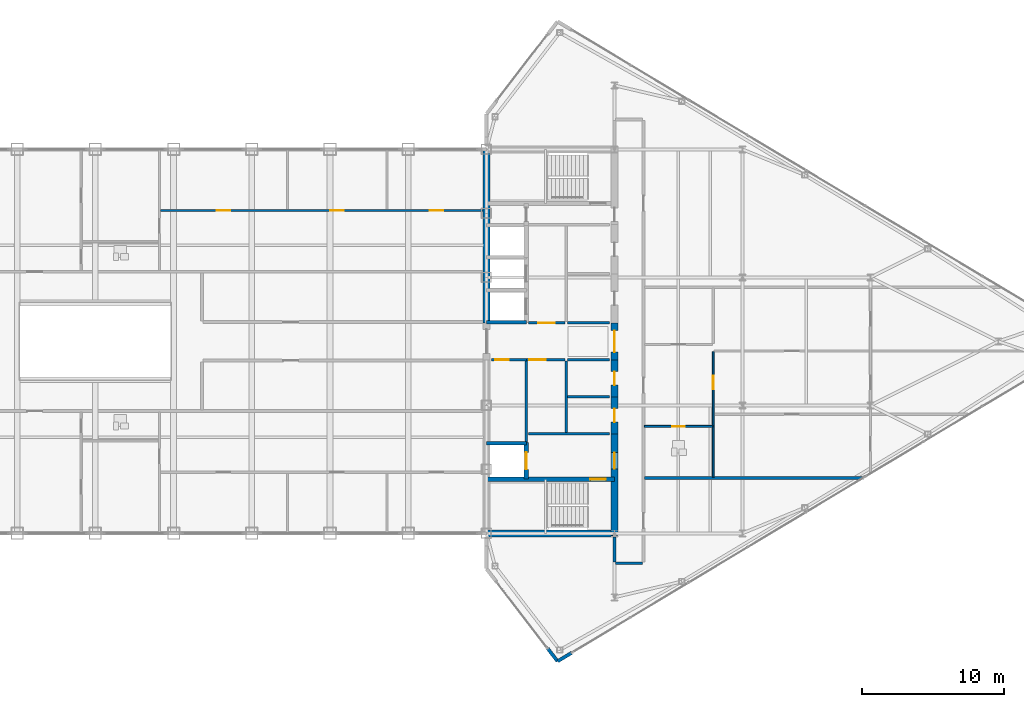
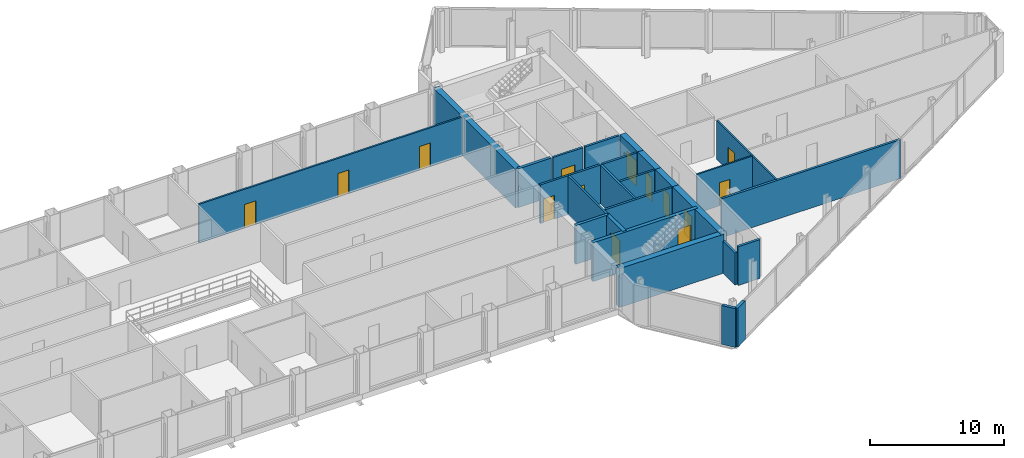
# One storey, part 24 of 29: 27 walls, 14 doors, 14 openings.
"""IFC4 building model written with IfcOpenShell, lengths in metres."""

from ifc_helpers import new_model, si_unit, direction, frame, frame_2d, origin, place, context, subcontext, project, spatial, rectangle, extrude, source, transform, mapped, material, layer, layer_set, type_object, type_shapes, element, fill, save


model = new_model("IFC4")

# Units and contexts
model_context = context("Model", 3, precision=1e-05, world=origin(), true_north=direction((0.0, 1.0)))
body_context = subcontext(model_context, "Body", "Model", "MODEL_VIEW")
ifc_project = project(units=[si_unit("LENGTHUNIT", "METRE"), si_unit("AREAUNIT", "SQUARE_METRE"), si_unit("VOLUMEUNIT", "CUBIC_METRE"), si_unit("PLANEANGLEUNIT", "RADIAN"), si_unit("MASSUNIT", "GRAM", prefix="KILO")], contexts=[model_context])

# Site, building, storey
site_placement = place(None, origin())
site = spatial("IfcSite", under=ifc_project, at=site_placement, CompositionType="ELEMENT")
building_placement = place(site_placement, origin())
building = spatial("IfcBuilding", under=site, at=building_placement, Name="Seokmaru Belvedere", CompositionType="ELEMENT")
storey_placement = place(building_placement, frame((0.0, 0.0, 258.14990234375)))
storey = spatial("IfcBuildingStorey", under=building, at=storey_placement, Name="L68", CompositionType="ELEMENT", Elevation=258.14990234375)

# Wall, openings, doors
ifc_material_1 = material(Name="Fire-Rated Gypsum Shaftwall")
ifc_layer_1 = layer(ifc_material_1, 0.14990234375)
ifc_layer_set_1 = layer_set([ifc_layer_1], Name="Fire-Rated Gypsum Shaftwall")
wall_type_1 = type_object("IfcWallType", Name="Apartment Fire-Acoustic Room Partition 150", PredefinedType="PARTITIONING", material=ifc_layer_set_1)
wall_1_placement = place(storey_placement, frame((4.5849609375, 9.199951171875, 0.0), z_axis=(0.0, 0.0, 1.0), x_axis=(1.0, 0.0, 0.0)))
wall_1 = element("IfcWall", 1, at=wall_1_placement, inside=storey, type_object=wall_type_1, Name="L68 Interior Partition 023", PredefinedType="PARTITIONING", context=body_context, shape_type="SweptSolid", body=[
    extrude(rectangle(XDim=22.66015625, YDim=0.14990234375, at=frame_2d((11.330078125, 0.0))), origin(), (0.0, 0.0, 1.0), 3.530029296875),
])
opening_1_placement = place(wall_1_placement, frame((3.93994140625, 0.0, 0.0)))
opening_1 = element("IfcOpeningElement", 2, at=opening_1_placement, cuts=wall_1, Name="Opening D05", PredefinedType="OPENING", context=body_context, shape_type="SweptSolid", body=[
    extrude(rectangle(XDim=0.949951171875, YDim=2.14990234375, at=frame_2d((0.47509765625, 1.074951171875))), frame((0.0, 0.0849609375, 0.0), z_axis=(0.0, -1.0, 0.0), x_axis=(1.0, 0.0, 0.0)), (0.0, 0.0, 1.0), 0.169921875),
])
opening_2_placement = place(wall_1_placement, frame((11.93994140625, 0.0, 0.0)))
opening_2 = element("IfcOpeningElement", 3, at=opening_2_placement, cuts=wall_1, Name="Opening D05", PredefinedType="OPENING", context=body_context, shape_type="SweptSolid", body=[
    extrude(rectangle(XDim=0.949951171875, YDim=2.14990234375, at=frame_2d((0.47509765625, 1.074951171875))), frame((0.0, 0.0849609375, 0.0), z_axis=(0.0, -1.0, 0.0), x_axis=(1.0, 0.0, 0.0)), (0.0, 0.0, 1.0), 0.169921875),
])
opening_3_placement = place(wall_1_placement, frame((18.93994140625, 0.0, 0.0)))
opening_3 = element("IfcOpeningElement", 4, at=opening_3_placement, cuts=wall_1, Name="Opening D05", PredefinedType="OPENING", context=body_context, shape_type="SweptSolid", body=[
    extrude(rectangle(XDim=0.949951171875, YDim=2.14990234375, at=frame_2d((0.47509765625, 1.074951171875))), frame((0.0, 0.0849609375, 0.0), z_axis=(0.0, -1.0, 0.0), x_axis=(1.0, 0.0, 0.0)), (0.0, 0.0, 1.0), 0.169921875),
])
ifc_material_2 = material(Name="Engineered White Oak Timber", Category="wood")
door_type_1 = type_object("IfcDoorType", Name="Apartment Interior Fire-Rated Oak Door 950x2150", OperationType="NOTDEFINED", PredefinedType="DOOR", material=ifc_material_2)
shared_shape_1 = source(origin(), body_context, "Body", "SweptSolid", [
    extrude(rectangle(XDim=0.949951171875, YDim=2.14990234375, at=frame_2d((0.47509765625, 1.074951171875))), frame((0.0, 0.02490234375, 0.0), z_axis=(0.0, -1.0, 0.0), x_axis=(1.0, 0.0, 0.0)), (0.0, 0.0, 1.0), 0.050048828125),
])
type_shapes(door_type_1, [shared_shape_1])
door_1_placement = place(opening_1_placement, origin())
door_1 = element("IfcDoor", 5, at=door_1_placement, inside=storey, type_object=door_type_1, Name="L68 Interior Door 037", OperationType="SINGLE_SWING_LEFT", OverallHeight=2.14990234375, OverallWidth=0.949951171875, PredefinedType="DOOR", context=body_context, shape_type="MappedRepresentation", body=[
    mapped(shared_shape_1, transform((0.0, 0.0, 0.0), scale=1.0)),
])
fill(opening_1, door_1)
door_2_placement = place(opening_2_placement, origin())
door_2 = element("IfcDoor", 6, at=door_2_placement, inside=storey, type_object=door_type_1, Name="L68 Interior Door 038", OperationType="SINGLE_SWING_RIGHT", OverallHeight=2.14990234375, OverallWidth=0.949951171875, PredefinedType="DOOR", context=body_context, shape_type="MappedRepresentation", body=[
    mapped(shared_shape_1, transform((0.0, 0.0, 0.0), scale=1.0)),
])
fill(opening_2, door_2)
door_3_placement = place(opening_3_placement, origin())
door_3 = element("IfcDoor", 7, at=door_3_placement, inside=storey, type_object=door_type_1, Name="L68 Interior Door 039", OperationType="SINGLE_SWING_LEFT", OverallHeight=2.14990234375, OverallWidth=0.949951171875, PredefinedType="DOOR", context=body_context, shape_type="MappedRepresentation", body=[
    mapped(shared_shape_1, transform((0.0, 0.0, 0.0), scale=1.0)),
])
fill(opening_3, door_3)

# Walls
ifc_layer_2 = layer(ifc_material_1, 0.179931640625)
ifc_layer_set_2 = layer_set([ifc_layer_2], Name="Fire-Rated Gypsum Shaftwall")
wall_type_2 = type_object("IfcWallType", Name="Core Service Fire Partition 180", PredefinedType="PARTITIONING", material=ifc_layer_set_2)
wall_2_placement = place(storey_placement, frame((30.449951171875, -6.5, 0.0), z_axis=(0.0, 0.0, 1.0), x_axis=(1.0, 0.0, 0.0)))
element("IfcWall", 8, at=wall_2_placement, inside=storey, type_object=wall_type_2, Name="L68 East Firefighting Lobby Partition", PredefinedType="PARTITIONING", context=body_context, shape_type="SweptSolid", body=[
    extrude(rectangle(XDim=5.699951171875, YDim=0.179931640625, at=frame_2d((2.85009765625, 0.0))), origin(), (0.0, 0.0, 1.0), 3.530029296875),
])
wall_3_placement = place(storey_placement, frame((33.10009765625, -6.419921875, 0.0), z_axis=(0.0, 0.0, 1.0), x_axis=(0.0, 1.0, 0.0)))
element("IfcWall", 9, at=wall_3_placement, inside=storey, type_object=wall_type_2, Name="L68 East South Core Service Back Wall", PredefinedType="PARTITIONING", context=body_context, shape_type="SweptSolid", body=[
    extrude(rectangle(XDim=5.0400390625, YDim=0.179931640625, at=frame_2d((2.52001953125, 0.0))), origin(), (0.0, 0.0, 1.0), 3.530029296875),
])

# Wall, opening, door
wall_4_placement = place(storey_placement, frame((27.85009765625, -1.300048828125, 0.0), z_axis=(0.0, 0.0, 1.0), x_axis=(1.0, 0.0, 0.0)))
wall_4 = element("IfcWall", 10, at=wall_4_placement, inside=storey, type_object=wall_type_2, Name="L68 East South Parcel Vault Foyer Wall", PredefinedType="PARTITIONING", context=body_context, shape_type="SweptSolid", body=[
    extrude(rectangle(XDim=2.449951171875, YDim=0.179931640625, at=frame_2d((1.22509765625, 0.0))), origin(), (0.0, 0.0, 1.0), 3.530029296875),
])
opening_4_placement = place(wall_4_placement, frame((0.27490234375, 0.0, 0.0)))
opening_4 = element("IfcOpeningElement", 11, at=opening_4_placement, cuts=wall_4, Name="Opening D04", PredefinedType="OPENING", context=body_context, shape_type="SweptSolid", body=[
    extrude(rectangle(XDim=0.949951171875, YDim=2.14990234375, at=frame_2d((0.47509765625, 1.074951171875))), frame((0.0, 0.10009765625, 0.0), z_axis=(0.0, -1.0, 0.0), x_axis=(1.0, 0.0, 0.0)), (0.0, 0.0, 1.0), 0.199951171875),
])
ifc_material_3 = material(Name="Fire-Rated Steel Leaf", Category="steel")
door_type_2 = type_object("IfcDoorType", Name="Core Service Room Fire Door 950x2150", OperationType="NOTDEFINED", PredefinedType="DOOR", material=ifc_material_3)
shared_shape_2 = source(origin(), body_context, "Body", "SweptSolid", [
    extrude(rectangle(XDim=0.949951171875, YDim=2.14990234375, at=frame_2d((0.47509765625, 1.074951171875))), frame((0.0, 0.02490234375, 0.0), z_axis=(0.0, -1.0, 0.0), x_axis=(1.0, 0.0, 0.0)), (0.0, 0.0, 1.0), 0.050048828125),
])
type_shapes(door_type_2, [shared_shape_2])
door_4_placement = place(opening_4_placement, origin())
door_4 = element("IfcDoor", 12, at=door_4_placement, inside=storey, type_object=door_type_2, Name="L68 East South Parcel Vault Door", OperationType="SINGLE_SWING_RIGHT", OverallHeight=2.14990234375, OverallWidth=0.949951171875, PredefinedType="DOOR", context=body_context, shape_type="MappedRepresentation", body=[
    mapped(shared_shape_2, transform((0.0, 0.0, 0.0), scale=1.0)),
])
fill(opening_4, door_4)

wall_5_placement = place(storey_placement, frame((30.300048828125, -1.300048828125, 0.0), z_axis=(0.0, 0.0, 1.0), x_axis=(1.0, 0.0, 0.0)))
wall_5 = element("IfcWall", 13, at=wall_5_placement, inside=storey, type_object=wall_type_2, Name="L68 East South Wine Cellar Foyer Wall", PredefinedType="PARTITIONING", context=body_context, shape_type="SweptSolid", body=[
    extrude(rectangle(XDim=2.719970703125, YDim=0.179931640625, at=frame_2d((1.35986328125, 0.0))), origin(), (0.0, 0.0, 1.0), 3.530029296875),
])
opening_5_placement = place(wall_5_placement, frame((0.2099609375, 0.0, 0.0)))
opening_5 = element("IfcOpeningElement", 14, at=opening_5_placement, cuts=wall_5, Name="Opening D02", PredefinedType="OPENING", context=body_context, shape_type="SweptSolid", body=[
    extrude(rectangle(XDim=1.14990234375, YDim=2.199951171875, at=frame_2d((0.574951171875, 1.10009765625))), frame((0.0, 0.10009765625, 0.0), z_axis=(0.0, -1.0, 0.0), x_axis=(1.0, 0.0, 0.0)), (0.0, 0.0, 1.0), 0.199951171875),
])
door_type_3 = type_object("IfcDoorType", Name="Lobby and Vestibule Fire Door 1150x2200", OperationType="NOTDEFINED", PredefinedType="DOOR", material=ifc_material_3)
shared_shape_3 = source(origin(), body_context, "Body", "SweptSolid", [
    extrude(rectangle(XDim=1.14990234375, YDim=2.199951171875, at=frame_2d((0.574951171875, 1.10009765625))), frame((0.0, 0.02490234375, 0.0), z_axis=(0.0, -1.0, 0.0), x_axis=(1.0, 0.0, 0.0)), (0.0, 0.0, 1.0), 0.050048828125),
])
type_shapes(door_type_3, [shared_shape_3])
door_5_placement = place(opening_5_placement, origin())
door_5 = element("IfcDoor", 15, at=door_5_placement, inside=storey, type_object=door_type_3, Name="L68 East South Core Foyer Door", OperationType="SINGLE_SWING_RIGHT", OverallHeight=2.199951171875, OverallWidth=1.14990234375, PredefinedType="DOOR", context=body_context, shape_type="MappedRepresentation", body=[
    mapped(shared_shape_3, transform((0.0, 0.0, 0.0), scale=1.0)),
])
fill(opening_5, door_5)

# Wall
wall_6_placement = place(storey_placement, frame((30.300048828125, -7.1201171875, 0.0), z_axis=(0.0, 0.0, 1.0), x_axis=(0.0, 1.0, 0.0)))
element("IfcWall", 16, at=wall_6_placement, inside=storey, type_object=wall_type_2, Name="L68 East Freed Shaft Vault Partition", PredefinedType="PARTITIONING", context=body_context, shape_type="SweptSolid", body=[
    extrude(rectangle(XDim=5.740234375, YDim=0.179931640625, at=frame_2d((2.8701171875, 0.0))), origin(), (0.0, 0.0, 1.0), 3.530029296875),
])

# Wall, opening, door
wall_7_placement = place(storey_placement, frame((30.449951171875, 1.300048828125, 0.0), z_axis=(0.0, 0.0, 1.0), x_axis=(1.0, 0.0, 0.0)))
wall_7 = element("IfcWall", 17, at=wall_7_placement, inside=storey, type_object=wall_type_2, Name="L68 East North Lift Lobby Foyer Wall", PredefinedType="PARTITIONING", context=body_context, shape_type="SweptSolid", body=[
    extrude(rectangle(XDim=2.570068359375, YDim=0.179931640625, at=frame_2d((1.28515625, 0.0))), origin(), (0.0, 0.0, 1.0), 3.530029296875),
])
opening_6_placement = place(wall_7_placement, frame((0.7099609375, 0.0, 0.0)))
opening_6 = element("IfcOpeningElement", 18, at=opening_6_placement, cuts=wall_7, Name="Opening D02", PredefinedType="OPENING", context=body_context, shape_type="SweptSolid", body=[
    extrude(rectangle(XDim=1.14990234375, YDim=2.199951171875, at=frame_2d((0.574951171875, 1.10009765625))), frame((0.0, 0.10009765625, 0.0), z_axis=(0.0, -1.0, 0.0), x_axis=(1.0, 0.0, 0.0)), (0.0, 0.0, 1.0), 0.199951171875),
])
door_6_placement = place(opening_6_placement, origin())
door_6 = element("IfcDoor", 19, at=door_6_placement, inside=storey, type_object=door_type_3, Name="L68 East North Lift Lobby Door", OperationType="SINGLE_SWING_LEFT", OverallHeight=2.199951171875, OverallWidth=1.14990234375, PredefinedType="DOOR", context=body_context, shape_type="MappedRepresentation", body=[
    mapped(shared_shape_3, transform((0.0, 0.0, 0.0), scale=1.0)),
])
fill(opening_6, door_6)

# Walls
for number, where, z_axis, x_axis, name in (
    (20, (33.199951171875, -1.300048828125, 0.0), (0.0, 0.0, 1.0), (1.0, 0.0, 0.0), "L68 East Foyer Side Wall S"),
    (21, (33.199951171875, 1.300048828125, 0.0), (0.0, 0.0, 1.0), (1.0, 0.0, 0.0), "L68 East Foyer Side Wall N"),
    (22, (33.199951171875, -3.89990234375, 0.0), (0.0, 0.0, 1.0), (1.0, 0.0, 0.0), "L68 East Core Service Partition 1"),
):
    element("IfcWall", number, at=place(storey_placement, frame(where, z_axis=z_axis, x_axis=x_axis)), inside=storey, type_object=wall_type_2, Name=name, PredefinedType="PARTITIONING", context=body_context, shape_type="SweptSolid", body=[
        extrude(rectangle(XDim=2.949951171875, YDim=0.179931640625, at=frame_2d((1.47509765625, 0.0))), origin(), (0.0, 0.0, 1.0), 3.530029296875),
    ])
ifc_material_4 = material(Name="Concrete C50 (50 MPa)", Category="concrete")
ifc_layer_3 = layer(ifc_material_4, 0.25)
ifc_layer_set_3 = layer_set([ifc_layer_3], Name="Concrete C50 (50 MPa)")
wall_type_3 = type_object("IfcWallType", Name="Hoistway Transverse Concrete Divider Wall 250", PredefinedType="SHEAR", material=ifc_layer_set_3)
for number, where, z_axis, x_axis, name in (
    (23, (27.5, -7.14990234375, 0.0), (0.0, 0.0, 1.0), (1.0, 0.0, 0.0), "L68 East Hoistway Divider Core Wall 1"),
    (24, (27.5, 1.35009765625, 0.0), (0.0, 0.0, 1.0), (1.0, 0.0, 0.0), "L68 East Hoistway Divider Core Wall 2"),
):
    element("IfcWall", number, at=place(storey_placement, frame(where, z_axis=z_axis, x_axis=x_axis)), inside=storey, type_object=wall_type_3, Name=name, PredefinedType="SHEAR", context=body_context, shape_type="SweptSolid", body=[
        extrude(rectangle(XDim=2.800048828125, YDim=0.25, at=frame_2d((1.39990234375, 0.0))), origin(), (0.0, 0.0, 1.0), 3.530029296875),
    ])
ifc_layer_4 = layer(ifc_material_1, 0.199951171875)
ifc_layer_set_4 = layer_set([ifc_layer_4], Name="Fire-Rated Gypsum Shaftwall")
wall_type_4 = type_object("IfcWallType", Name="Inter-Tenancy Fire Compartment Partition 200", PredefinedType="PARTITIONING", material=ifc_layer_set_4)
wall_8_placement = place(storey_placement, frame((36.5849609375, -15.60009765625, 0.0), z_axis=(0.0, 0.0, 1.0), x_axis=(1.0, 0.0, 0.0)))
element("IfcWall", 25, at=wall_8_placement, inside=storey, type_object=wall_type_4, Name="L68 Interior Partition 002", PredefinedType="PARTITIONING", context=body_context, shape_type="SweptSolid", body=[
    extrude(rectangle(XDim=1.880126953125, YDim=0.199951171875, at=frame_2d((0.93994140625, 0.0))), origin(), (0.0, 0.0, 1.0), 3.530029296875),
])
wall_9_placement = place(storey_placement, frame((38.6298828125, -9.60009765625, 0.0), z_axis=(0.0, 0.0, 1.0), x_axis=(1.0, 0.0, 0.0)))
element("IfcWall", 26, at=wall_9_placement, inside=storey, type_object=wall_type_4, Name="L68 Interior Partition 003", PredefinedType="PARTITIONING", context=body_context, shape_type="SweptSolid", body=[
    extrude(rectangle(XDim=15.380126953125, YDim=0.199951171875, at=frame_2d((7.68994140625, 0.0))), origin(), (0.0, 0.0, 1.0), 3.530029296875),
])
wall_10_placement = place(storey_placement, frame((36.5, -15.514892578125, 0.0), z_axis=(0.0, 0.0, 1.0), x_axis=(0.0, 1.0, 0.0)))
element("IfcWall", 27, at=wall_10_placement, inside=storey, type_object=wall_type_4, Name="L68 Interior Partition 047", PredefinedType="PARTITIONING", context=body_context, shape_type="SweptSolid", body=[
    extrude(rectangle(XDim=1.760009765625, YDim=0.199951171875, at=frame_2d((0.8798828125, 0.0))), origin(), (0.0, 0.0, 1.0), 2.93017578125),
])

# Wall, opening, door
ifc_layer_5 = layer(ifc_material_4, 0.300048828125)
ifc_layer_set_5 = layer_set([ifc_layer_5], Name="Concrete C50 (50 MPa)")
wall_type_5 = type_object("IfcWallType", Name="Internal Core Stair and Hoistway Wall 300", PredefinedType="SHEAR", material=ifc_layer_set_5)
wall_11_placement = place(storey_placement, frame((27.5, -9.699951171875, 0.0), z_axis=(0.0, 0.0, 1.0), x_axis=(1.0, 0.0, 0.0)))
wall_11 = element("IfcWall", 28, at=wall_11_placement, inside=storey, type_object=wall_type_5, Name="L68 East Stair ST-1 Enclosure Wall", PredefinedType="SHEAR", context=body_context, shape_type="SweptSolid", body=[
    extrude(rectangle(XDim=9.0, YDim=0.300048828125, at=frame_2d((4.5, 0.0))), origin(), (0.0, 0.0, 1.0), 3.530029296875),
])
opening_7_placement = place(wall_11_placement, frame((7.300048828125, 0.0, 0.0)))
opening_7 = element("IfcOpeningElement", 29, at=opening_7_placement, cuts=wall_11, Name="Opening D01", PredefinedType="OPENING", context=body_context, shape_type="SweptSolid", body=[
    extrude(rectangle(XDim=1.10009765625, YDim=2.199951171875, at=frame_2d((0.550048828125, 1.10009765625))), frame((0.0, 0.16015625, 0.0), z_axis=(0.0, -1.0, 0.0), x_axis=(1.0, 0.0, 0.0)), (0.0, 0.0, 1.0), 0.320068359375),
])
door_type_4 = type_object("IfcDoorType", Name="Special Escape Stair Smokeproof Fire Door 1100x2200", OperationType="NOTDEFINED", PredefinedType="DOOR", material=ifc_material_3)
shared_shape_4 = source(origin(), body_context, "Body", "SweptSolid", [
    extrude(rectangle(XDim=1.10009765625, YDim=2.199951171875, at=frame_2d((0.550048828125, 1.10009765625))), frame((0.0, 0.02490234375, 0.0), z_axis=(0.0, -1.0, 0.0), x_axis=(1.0, 0.0, 0.0)), (0.0, 0.0, 1.0), 0.050048828125),
])
type_shapes(door_type_4, [shared_shape_4])
door_7_placement = place(opening_7_placement, frame((1.10009765625, 0.0, 0.0), z_axis=(0.0, 0.0, 1.0), x_axis=(-1.0, 0.0, 0.0)))
door_7 = element("IfcDoor", 30, at=door_7_placement, inside=storey, type_object=door_type_4, Name="L68 East Special Escape Stair ST-1 Door", OperationType="SINGLE_SWING_RIGHT", OverallHeight=2.199951171875, OverallWidth=1.10009765625, PredefinedType="DOOR", context=body_context, shape_type="MappedRepresentation", body=[
    mapped(shared_shape_4, transform((0.0, 0.0, 0.0), scale=1.0)),
])
fill(opening_7, door_7)

wall_12_placement = place(storey_placement, frame((30.300048828125, -9.679931640625, 0.0), z_axis=(0.0, 0.0, 1.0), x_axis=(0.0, 1.0, 0.0)))
wall_12 = element("IfcWall", 31, at=wall_12_placement, inside=storey, type_object=wall_type_5, Name="L68 East Firefighting Lift Shaft Front Wall", PredefinedType="SHEAR", context=body_context, shape_type="SweptSolid", body=[
    extrude(rectangle(XDim=2.559814453125, YDim=0.300048828125, at=frame_2d((1.27978515625, 0.0))), origin(), (0.0, 0.0, 1.0), 3.530029296875),
])
opening_8_placement = place(wall_12_placement, frame((0.679931640625, 0.0, 0.0)))
opening_8 = element("IfcOpeningElement", 32, at=opening_8_placement, cuts=wall_12, Name="Opening LD2", PredefinedType="OPENING", context=body_context, shape_type="SweptSolid", body=[
    extrude(rectangle(XDim=1.199951171875, YDim=2.25, at=frame_2d((0.60009765625, 1.125))), frame((0.0, 0.16015625, 0.0), z_axis=(0.0, -1.0, 0.0), x_axis=(1.0, 0.0, 0.0)), (0.0, 0.0, 1.0), 0.320068359375),
])
ifc_material_5 = material(Name="Stainless Steel 316", Category="steel")
door_type_5 = type_object("IfcDoorType", Name="Firefighting Lift Sliding Landing Door 1200x2250", OperationType="DOUBLE_DOOR_SLIDING", PredefinedType="DOOR", material=ifc_material_5)
shared_shape_5 = source(origin(), body_context, "Body", "SweptSolid", [
    extrude(rectangle(XDim=1.199951171875, YDim=2.25, at=frame_2d((0.60009765625, 1.125))), frame((0.0, 0.02490234375, 0.0), z_axis=(0.0, -1.0, 0.0), x_axis=(1.0, 0.0, 0.0)), (0.0, 0.0, 1.0), 0.050048828125),
])
type_shapes(door_type_5, [shared_shape_5])
door_8_placement = place(opening_8_placement, origin())
door_8 = element("IfcDoor", 33, at=door_8_placement, inside=storey, type_object=door_type_5, Name="L68 East Firefighting Lift Landing Door", OperationType="DOUBLE_DOOR_SLIDING", OverallHeight=2.25, OverallWidth=1.199951171875, PredefinedType="DOOR", context=body_context, shape_type="MappedRepresentation", body=[
    mapped(shared_shape_5, transform((0.0, 0.0, 0.0), scale=1.0)),
])
fill(opening_8, door_8)

ifc_layer_6 = layer(ifc_material_1, 0.1298828125)
ifc_layer_set_6 = layer_set([ifc_layer_6], Name="Fire-Rated Gypsum Shaftwall")
wall_type_6 = type_object("IfcWallType", Name="Moisture-Resistant Fire-Rated Bathroom Partition 130", PredefinedType="PARTITIONING", material=ifc_layer_set_6)
wall_13_placement = place(storey_placement, frame((38.60009765625, -5.97998046875, 0.0), z_axis=(0.0, 0.0, 1.0), x_axis=(1.0, 0.0, 0.0)))
wall_13 = element("IfcWall", 34, at=wall_13_placement, inside=storey, type_object=wall_type_6, Name="L68 Interior Partition 008", PredefinedType="PARTITIONING", context=body_context, shape_type="SweptSolid", body=[
    extrude(rectangle(XDim=4.7998046875, YDim=0.1298828125, at=frame_2d((2.39990234375, 0.0))), origin(), (0.0, 0.0, 1.0), 3.530029296875),
])
opening_9_placement = place(wall_13_placement, frame((1.9599609375, 0.0, 0.0)))
opening_9 = element("IfcOpeningElement", 35, at=opening_9_placement, cuts=wall_13, Name="Opening D06", PredefinedType="OPENING", context=body_context, shape_type="SweptSolid", body=[
    extrude(rectangle(XDim=0.8798828125, YDim=2.10009765625, at=frame_2d((0.43994140625, 1.050048828125))), frame((0.0, 0.074951171875, 0.0), z_axis=(0.0, -1.0, 0.0), x_axis=(1.0, 0.0, 0.0)), (0.0, 0.0, 1.0), 0.14990234375),
])
door_type_6 = type_object("IfcDoorType", Name="Bathroom and Restroom Fire-Rated Door 880x2100", OperationType="NOTDEFINED", PredefinedType="DOOR", material=ifc_material_2)
shared_shape_6 = source(origin(), body_context, "Body", "SweptSolid", [
    extrude(rectangle(XDim=0.8798828125, YDim=2.10009765625, at=frame_2d((0.43994140625, 1.050048828125))), frame((0.0, 0.02490234375, 0.0), z_axis=(0.0, -1.0, 0.0), x_axis=(1.0, 0.0, 0.0)), (0.0, 0.0, 1.0), 0.050048828125),
])
type_shapes(door_type_6, [shared_shape_6])
door_9_placement = place(opening_9_placement, origin())
door_9 = element("IfcDoor", 36, at=door_9_placement, inside=storey, type_object=door_type_6, Name="L68 Interior Door 005", OperationType="SINGLE_SWING_RIGHT", OverallHeight=2.10009765625, OverallWidth=0.8798828125, PredefinedType="DOOR", context=body_context, shape_type="MappedRepresentation", body=[
    mapped(shared_shape_6, transform((0.0, 0.0, 0.0), scale=1.0)),
])
fill(opening_9, door_9)

wall_14_placement = place(storey_placement, frame((43.449951171875, -9.550048828125, 0.0), z_axis=(0.0, 0.0, 1.0), x_axis=(0.0, 1.0, 0.0)))
wall_14 = element("IfcWall", 37, at=wall_14_placement, inside=storey, type_object=wall_type_6, Name="L68 Interior Partition 050", PredefinedType="PARTITIONING", context=body_context, shape_type="SweptSolid", body=[
    extrude(rectangle(XDim=8.8330078125, YDim=0.1298828125, at=frame_2d((4.41650390625, 0.0))), origin(), (0.0, 0.0, 1.0), 3.530029296875),
])
opening_10_placement = place(wall_14_placement, frame((6.175048828125, 0.0, 0.0)))
opening_10 = element("IfcOpeningElement", 38, at=opening_10_placement, cuts=wall_14, Name="Opening D05", PredefinedType="OPENING", context=body_context, shape_type="SweptSolid", body=[
    extrude(rectangle(XDim=0.949951171875, YDim=2.14990234375, at=frame_2d((0.47509765625, 1.074951171875))), frame((0.0, 0.074951171875, 0.0), z_axis=(0.0, -1.0, 0.0), x_axis=(1.0, 0.0, 0.0)), (0.0, 0.0, 1.0), 0.14990234375),
])
door_10_placement = place(opening_10_placement, origin())
door_10 = element("IfcDoor", 39, at=door_10_placement, inside=storey, type_object=door_type_1, Name="L68 Interior Door 007", OperationType="SINGLE_SWING_LEFT", OverallHeight=2.14990234375, OverallWidth=0.949951171875, PredefinedType="DOOR", context=body_context, shape_type="MappedRepresentation", body=[
    mapped(shared_shape_1, transform((0.0, 0.0, 0.0), scale=1.0)),
])
fill(opening_10, door_10)

# Walls
ifc_material_6 = material(Name="Anodised Bronze Aluminium", Category="aluminium")
ifc_layer_7 = layer(ifc_material_6, 0.239990234375)
ifc_layer_set_7 = layer_set([ifc_layer_7], Name="Anodised Bronze Aluminium")
wall_type_7 = type_object("IfcWallType", Name="Tower Corner Spandrel Closure Wall 240", PredefinedType="SOLIDWALL", material=ifc_layer_set_7)
for number, where, z_axis, x_axis, name in (
    (40, (32.508544921875, -22.494873046875, 0.0), (0.0, 0.0, 1.0), (0.85743623509, 0.514590228002, 0.0), "L68 E Corner Closure Pier 1A"),
    (41, (31.798828125, -21.58837890625, 0.0), (0.0, 0.0, 1.0), (0.609617623633, -0.792695624408, 0.0), "L68 E Corner Closure Pier 6B"),
):
    element("IfcWall", number, at=place(storey_placement, frame(where, z_axis=z_axis, x_axis=x_axis)), inside=storey, type_object=wall_type_7, Name=name, PredefinedType="SOLIDWALL", context=body_context, shape_type="SweptSolid", body=[
        extrude(rectangle(XDim=1.14013671875, YDim=0.239990234375, at=frame_2d((0.570068359375, 0.0))), origin(), (0.0, 0.0, 1.0), 3.530029296875),
    ])
ifc_layer_8 = layer(ifc_material_4, 0.5)
ifc_layer_set_8 = layer_set([ifc_layer_8], Name="Concrete C50 (50 MPa)")
wall_type_8 = type_object("IfcWallType", Name="Upper Tower Reinforced Concrete Core Wall 500", PredefinedType="SHEAR", material=ifc_layer_set_8)
wall_15_placement = place(storey_placement, frame((27.5, 1.300048828125, 0.0), z_axis=(0.0, 0.0, 1.0), x_axis=(0.0, 1.0, 0.0)))
element("IfcWall", 42, at=wall_15_placement, inside=storey, type_object=wall_type_8, Name="L68 East Portal Spine Core Wall North", PredefinedType="SHEAR", context=body_context, shape_type="SweptSolid", body=[
    extrude(rectangle(XDim=12.199951171875, YDim=0.5, at=frame_2d((6.10009765625, 0.0))), origin(), (0.0, 0.0, 1.0), 3.530029296875),
])
wall_16_placement = place(storey_placement, frame((27.5, -13.5, 0.0), z_axis=(0.0, 0.0, 1.0), x_axis=(1.0, 0.0, 0.0)))
element("IfcWall", 43, at=wall_16_placement, inside=storey, type_object=wall_type_8, Name="L68 East South Core Wall", PredefinedType="SHEAR", context=body_context, shape_type="SweptSolid", body=[
    extrude(rectangle(XDim=9.0, YDim=0.5, at=frame_2d((4.5, 0.0))), origin(), (0.0, 0.0, 1.0), 3.530029296875),
])

# Wall, opening, door
wall_17_placement = place(storey_placement, frame((36.5, -13.64990234375, 0.0), z_axis=(0.0, 0.0, 1.0), x_axis=(0.0, 1.0, 0.0)))
wall_17 = element("IfcWall", 44, at=wall_17_placement, inside=storey, type_object=wall_type_8, Name="L68 East West Core Wall FF", PredefinedType="SHEAR", context=body_context, shape_type="SweptSolid", body=[
    extrude(rectangle(XDim=7.14990234375, YDim=0.5, at=frame_2d((3.574951171875, 0.0))), origin(), (0.0, 0.0, 1.0), 3.530029296875),
])
opening_11_placement = place(wall_17_placement, frame((4.675048828125, 0.0, 0.0)))
opening_11 = element("IfcOpeningElement", 45, at=opening_11_placement, cuts=wall_17, Name="Opening D02", PredefinedType="OPENING", context=body_context, shape_type="SweptSolid", body=[
    extrude(rectangle(XDim=1.14990234375, YDim=2.199951171875, at=frame_2d((0.574951171875, 1.10009765625))), frame((0.0, 0.260009765625, 0.0), z_axis=(0.0, -1.0, 0.0), x_axis=(1.0, 0.0, 0.0)), (0.0, 0.0, 1.0), 0.52001953125),
])
door_11_placement = place(opening_11_placement, origin())
door_11 = element("IfcDoor", 46, at=door_11_placement, inside=storey, type_object=door_type_3, Name="L68 East Firefighting Lobby Door", OperationType="SINGLE_SWING_RIGHT", OverallHeight=2.199951171875, OverallWidth=1.14990234375, PredefinedType="DOOR", context=body_context, shape_type="MappedRepresentation", body=[
    mapped(shared_shape_3, transform((0.0, 0.0, 0.0), scale=1.0)),
])
fill(opening_11, door_11)

wall_18_placement = place(storey_placement, frame((36.5, -1.300048828125, 0.0), z_axis=(0.0, 0.0, 1.0), x_axis=(0.0, 1.0, 0.0)))
wall_18 = element("IfcWall", 47, at=wall_18_placement, inside=storey, type_object=wall_type_8, Name="L68 East West Core Wall FOY", PredefinedType="SHEAR", context=body_context, shape_type="SweptSolid", body=[
    extrude(rectangle(XDim=2.60009765625, YDim=0.5, at=frame_2d((1.300048828125, 0.0))), origin(), (0.0, 0.0, 1.0), 3.530029296875),
])
opening_12_placement = place(wall_18_placement, frame((0.550048828125, 0.0, 0.0)))
opening_12 = element("IfcOpeningElement", 48, at=opening_12_placement, cuts=wall_18, Name="Opening D08", PredefinedType="OPENING", context=body_context, shape_type="SweptSolid", body=[
    extrude(rectangle(XDim=1.5, YDim=2.300048828125, at=frame_2d((0.75, 1.14990234375))), frame((0.0, 0.260009765625, 0.0), z_axis=(0.0, -1.0, 0.0), x_axis=(1.0, 0.0, 0.0)), (0.0, 0.0, 1.0), 0.52001953125),
])
door_type_7 = type_object("IfcDoorType", Name="Cross-Corridor Compartment Double Fire Door 1500x2300", OperationType="DOUBLE_SWING_LEFT", PredefinedType="DOOR", material=ifc_material_3)
shared_shape_7 = source(origin(), body_context, "Body", "SweptSolid", [
    extrude(rectangle(XDim=1.5, YDim=2.300048828125, at=frame_2d((0.75, 1.14990234375))), frame((0.0, 0.02490234375, 0.0), z_axis=(0.0, -1.0, 0.0), x_axis=(1.0, 0.0, 0.0)), (0.0, 0.0, 1.0), 0.050048828125),
])
type_shapes(door_type_7, [shared_shape_7])
door_12_placement = place(opening_12_placement, origin())
door_12 = element("IfcDoor", 49, at=door_12_placement, inside=storey, type_object=door_type_7, Name="L68 East Core Foyer Compartment Door", OperationType="DOUBLE_SWING_LEFT", OverallHeight=2.300048828125, OverallWidth=1.5, PredefinedType="DOOR", context=body_context, shape_type="MappedRepresentation", body=[
    mapped(shared_shape_7, transform((0.0, 0.0, 0.0), scale=1.0)),
])
fill(opening_12, door_12)

wall_19_placement = place(storey_placement, frame((36.5, -6.5, 0.0), z_axis=(0.0, 0.0, 1.0), x_axis=(0.0, 1.0, 0.0)))
wall_19 = element("IfcWall", 50, at=wall_19_placement, inside=storey, type_object=wall_type_8, Name="L68 East West Core Wall CS1", PredefinedType="SHEAR", context=body_context, shape_type="SweptSolid", body=[
    extrude(rectangle(XDim=2.60009765625, YDim=0.5, at=frame_2d((1.300048828125, 0.0))), origin(), (0.0, 0.0, 1.0), 3.530029296875),
])
opening_13_placement = place(wall_19_placement, frame((0.824951171875, 0.0, 0.0)))
opening_13 = element("IfcOpeningElement", 51, at=opening_13_placement, cuts=wall_19, Name="Opening D04", PredefinedType="OPENING", context=body_context, shape_type="SweptSolid", body=[
    extrude(rectangle(XDim=0.949951171875, YDim=2.14990234375, at=frame_2d((0.47509765625, 1.074951171875))), frame((0.0, 0.260009765625, 0.0), z_axis=(0.0, -1.0, 0.0), x_axis=(1.0, 0.0, 0.0)), (0.0, 0.0, 1.0), 0.52001953125),
])
door_13_placement = place(opening_13_placement, origin())
door_13 = element("IfcDoor", 52, at=door_13_placement, inside=storey, type_object=door_type_2, Name="L68 East Core Service Room Door 1", OperationType="SINGLE_SWING_RIGHT", OverallHeight=2.14990234375, OverallWidth=0.949951171875, PredefinedType="DOOR", context=body_context, shape_type="MappedRepresentation", body=[
    mapped(shared_shape_2, transform((0.0, 0.0, 0.0), scale=1.0)),
])
fill(opening_13, door_13)

wall_20_placement = place(storey_placement, frame((36.5, -3.89990234375, 0.0), z_axis=(0.0, 0.0, 1.0), x_axis=(0.0, 1.0, 0.0)))
wall_20 = element("IfcWall", 53, at=wall_20_placement, inside=storey, type_object=wall_type_8, Name="L68 East West Core Wall CS2", PredefinedType="SHEAR", context=body_context, shape_type="SweptSolid", body=[
    extrude(rectangle(XDim=2.599853515625, YDim=0.5, at=frame_2d((1.2998046875, 0.0))), origin(), (0.0, 0.0, 1.0), 3.530029296875),
])
opening_14_placement = place(wall_20_placement, frame((0.824951171875, 0.0, 0.0)))
opening_14 = element("IfcOpeningElement", 54, at=opening_14_placement, cuts=wall_20, Name="Opening D04", PredefinedType="OPENING", context=body_context, shape_type="SweptSolid", body=[
    extrude(rectangle(XDim=0.949951171875, YDim=2.14990234375, at=frame_2d((0.47509765625, 1.074951171875))), frame((0.0, 0.260009765625, 0.0), z_axis=(0.0, -1.0, 0.0), x_axis=(1.0, 0.0, 0.0)), (0.0, 0.0, 1.0), 0.52001953125),
])
door_14_placement = place(opening_14_placement, origin())
door_14 = element("IfcDoor", 55, at=door_14_placement, inside=storey, type_object=door_type_2, Name="L68 East Core Service Room Door 2", OperationType="SINGLE_SWING_LEFT", OverallHeight=2.14990234375, OverallWidth=0.949951171875, PredefinedType="DOOR", context=body_context, shape_type="MappedRepresentation", body=[
    mapped(shared_shape_2, transform((0.0, 0.0, 0.0), scale=1.0)),
])
fill(opening_14, door_14)

save(model, "model.ifc")
